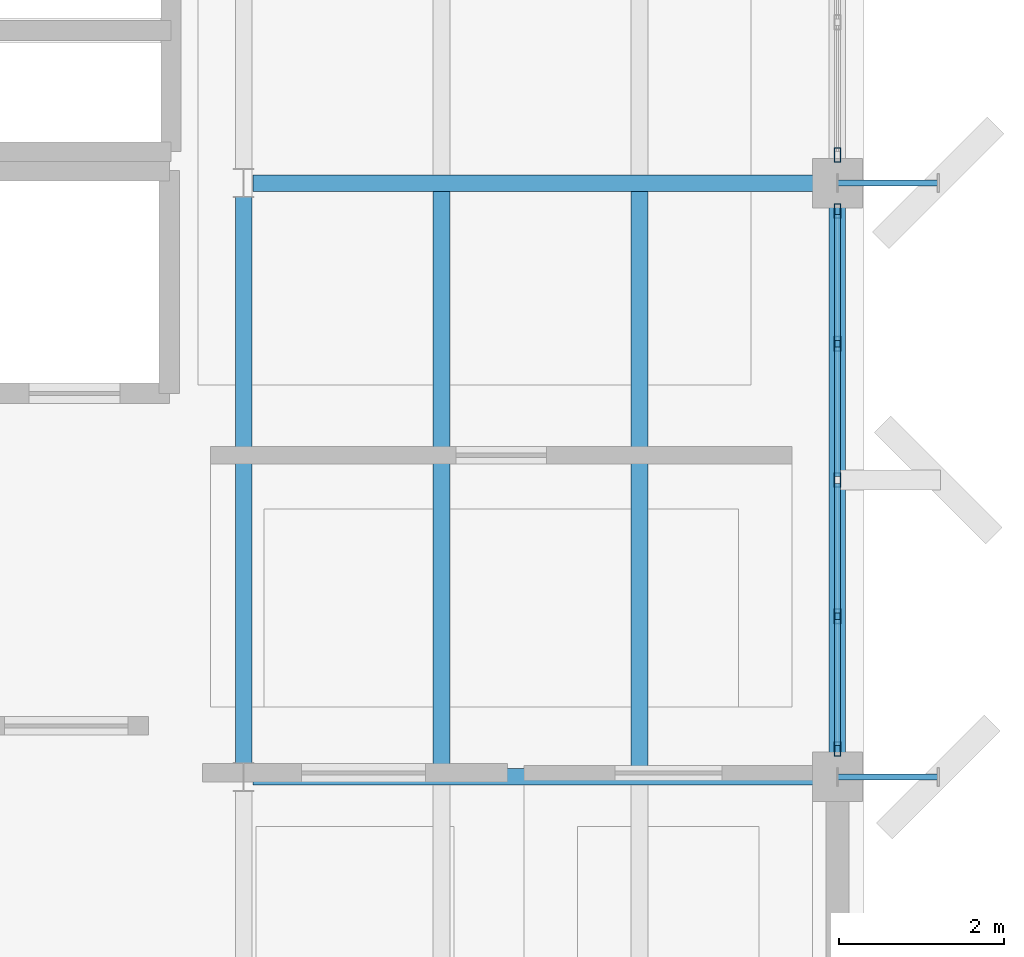
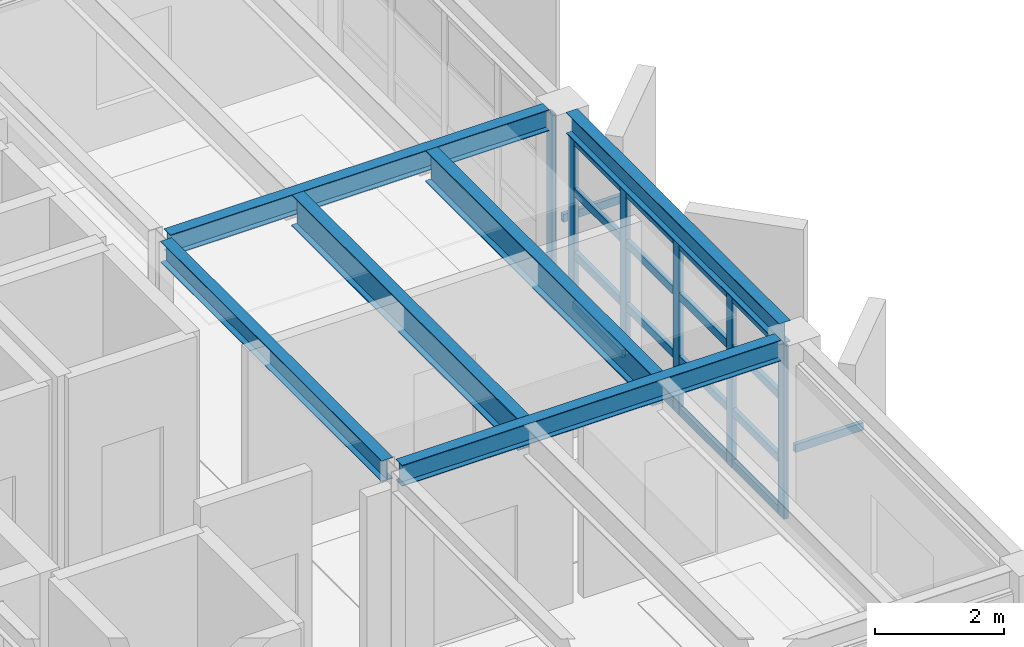
# One storey, part 6 of 15: 24 members, 6 beams, 2 elements without a shape of their own.
"""IFC4 building model written with IfcOpenShell, lengths in metres."""

from ifc_helpers import new_model, si_unit, direction, frame, origin, origin_2d, place, context, subcontext, project, spatial, hollow_rectangle, i_section, extrude, material, layer, layer_set, material_profile, profile_set, type_object, element, aggregate, save


model = new_model("IFC4")

# Units and contexts
model_context = context("Model", 3, precision=1e-05, world=origin(), true_north=direction((0.0, 1.0)))
body_context = subcontext(model_context, "Body", "Model", "MODEL_VIEW")
ifc_project = project(units=[si_unit("LENGTHUNIT", "METRE"), si_unit("AREAUNIT", "SQUARE_METRE"), si_unit("VOLUMEUNIT", "CUBIC_METRE"), si_unit("PLANEANGLEUNIT", "RADIAN"), si_unit("MASSUNIT", "GRAM", prefix="KILO")], contexts=[model_context])

# Site, building, storey
site_placement = place(None, origin())
site = spatial("IfcSite", under=ifc_project, at=site_placement, CompositionType="ELEMENT")
building_placement = place(site_placement, origin())
building = spatial("IfcBuilding", under=site, at=building_placement, Name="Kandorven Conservatory and Botanical Research Centre", CompositionType="ELEMENT")
storey_placement = place(building_placement, frame((0.0, 0.0, 52.199951171875)))
storey = spatial("IfcBuildingStorey", under=building, at=storey_placement, Name="L13", CompositionType="ELEMENT", Elevation=52.199951171875)

# Beams
ifc_material_1 = material(Name="Steel S355 (IS 2062 E350)", Category="steel")
ifc_material_profile_1 = material_profile(ifc_material_1, i_section(OverallWidth=0.199951171875, OverallDepth=0.39990234375, WebThickness=0.008544921875, FlangeThickness=0.012939453125, at=origin_2d()))
ifc_profile_set_1 = profile_set([ifc_material_profile_1], Name="Steel S355 (IS 2062 E350)")
beam_type_1 = type_object("IfcBeamType", Name="Beam_FG-03", PredefinedType="USERDEFINED", material=ifc_profile_set_1)
for number, where, z_axis, x_axis, name in (
    (1, (27.715087890625, 13.199951171875, 3.505126953125), (1.0, 0.0, 0.0), (0.0, 1.0, 0.0), "Primary girder FG-03 TWR L13"),
    (2, (27.715087890625, 20.39990234375, 3.505126953125), (1.0, 0.0, 0.0), (0.0, 1.0, 0.0), "Primary girder FG-03 TWR L13"),
):
    element("IfcBeam", number, at=place(storey_placement, frame(where, z_axis=z_axis, x_axis=x_axis)), inside=storey, type_object=beam_type_1, Name=name, ObjectType="GIRDER", PredefinedType="USERDEFINED", context=body_context, shape_type="SweptSolid", body=[
        extrude(i_section(OverallWidth=0.199951171875, OverallDepth=0.39990234375, WebThickness=0.008544921875, FlangeThickness=0.012939453125, at=origin_2d()), origin(), (0.0, 0.0, 1.0), 6.794921875),
    ])
beam_1_placement = place(storey_placement, frame((27.60009765625, 13.364990234375, 3.505126953125), z_axis=(0.0, 1.0, 0.0), x_axis=(-1.0, 0.0, 0.0)))
element("IfcBeam", 3, at=beam_1_placement, inside=storey, type_object=beam_type_1, Name="Primary girder FG-03 TWR L13", ObjectType="GIRDER", PredefinedType="USERDEFINED", context=body_context, shape_type="SweptSolid", body=[
    extrude(i_section(OverallWidth=0.199951171875, OverallDepth=0.39990234375, WebThickness=0.008544921875, FlangeThickness=0.012939453125, at=origin_2d()), origin(), (0.0, 0.0, 1.0), 6.8701171875),
])
beam_2_placement = place(storey_placement, frame((34.800048828125, 13.489990234375, 3.505126953125), z_axis=(0.0, 1.0, 0.0), x_axis=(-1.0, 0.0, 0.0)))
element("IfcBeam", 4, at=beam_2_placement, inside=storey, type_object=beam_type_1, Name="Primary girder FG-03 TWR L13", ObjectType="GIRDER", PredefinedType="USERDEFINED", context=body_context, shape_type="SweptSolid", body=[
    extrude(i_section(OverallWidth=0.199951171875, OverallDepth=0.39990234375, WebThickness=0.008544921875, FlangeThickness=0.012939453125, at=origin_2d()), origin(), (0.0, 0.0, 1.0), 6.6201171875),
])
ifc_material_2 = material(Name="Steel S355 (IS 2062 E350)", Category="steel")
ifc_material_profile_2 = material_profile(ifc_material_2, i_section(OverallWidth=0.2099609375, OverallDepth=0.60009765625, WebThickness=0.011962890625, FlangeThickness=0.020751953125, at=origin_2d()))
ifc_profile_set_2 = profile_set([ifc_material_profile_2], Name="Steel S355 (IS 2062 E350)")
beam_type_2 = type_object("IfcBeamType", Name="Beam_SB-01", PredefinedType="BEAM", material=ifc_profile_set_2)
for number, where, z_axis, x_axis, name in (
    (5, (30.0, 13.284912109375, 3.405029296875), (0.0, 1.0, 0.0), (-1.0, 0.0, 0.0), "Composite secondary beam SB-01 TWR L13"),
    (6, (32.39990234375, 13.284912109375, 3.405029296875), (0.0, 1.0, 0.0), (-1.0, 0.0, 0.0), "Composite secondary beam SB-01 TWR L13"),
):
    element("IfcBeam", number, at=place(storey_placement, frame(where, z_axis=z_axis, x_axis=x_axis)), inside=storey, type_object=beam_type_2, Name=name, PredefinedType="BEAM", context=body_context, shape_type="SweptSolid", body=[
        extrude(i_section(OverallWidth=0.2099609375, OverallDepth=0.60009765625, WebThickness=0.011962890625, FlangeThickness=0.020751953125, at=origin_2d()), origin(), (0.0, 0.0, 1.0), 7.030029296875),
    ])

# Curtain wall, members
ifc_material_3 = material(Name="Bronze anodised thermally broken aluminium", Category="aluminium")
ifc_layer = layer(ifc_material_3, 0.179931640625)
ifc_layer_set = layer_set([ifc_layer], Name="Bronze anodised thermally broken aluminium")
curtain_wall_type = type_object("IfcCurtainWallType", Name="CW_Unitised", PredefinedType="USERDEFINED", material=ifc_layer_set)
curtain_wall_1_placement = place(storey_placement, origin())
curtain_wall_1 = element("IfcCurtainWall", 7, at=curtain_wall_1_placement, inside=storey, type_object=curtain_wall_type, Name="Tower laboratory curtain wall CW-TWR-E-L13-2", ObjectType="UNITISED GLAZING", PredefinedType="USERDEFINED")
ifc_material_4 = material(Name="Bronze anodised thermally broken aluminium", Category="aluminium")
ifc_material_profile_3 = material_profile(ifc_material_4, hollow_rectangle(XDim=0.080078125, YDim=0.179931640625, WallThickness=0.006103515625, at=origin_2d()))
ifc_profile_set_3 = profile_set([ifc_material_profile_3], Name="Bronze anodised thermally broken aluminium")
member_type_1 = type_object("IfcMemberType", Name="CW_Mullion", PredefinedType="MULLION", material=ifc_profile_set_3)
member_1_placement = place(storey_placement, frame((34.800048828125, 13.5400390625, 0.0), z_axis=(0.0, 0.0, 1.0), x_axis=(-1.0, 0.0, 0.0)))
member_1 = element("IfcMember", 8, at=member_1_placement, type_object=member_type_1, Name="CW-01 mullion 1", PredefinedType="MULLION", context=body_context, shape_type="SweptSolid", body=[
    extrude(hollow_rectangle(XDim=0.080078125, YDim=0.179931640625, WallThickness=0.006103515625, at=origin_2d()), origin(), (0.0, 0.0, 1.0), 3.28515625),
])
member_2_placement = place(storey_placement, frame((34.800048828125, 15.14990234375, 0.0), z_axis=(0.0, 0.0, 1.0), x_axis=(-1.0, 0.0, 0.0)))
member_2 = element("IfcMember", 9, at=member_2_placement, type_object=member_type_1, Name="CW-01 mullion 2", PredefinedType="MULLION", context=body_context, shape_type="SweptSolid", body=[
    extrude(hollow_rectangle(XDim=0.080078125, YDim=0.179931640625, WallThickness=0.006103515625, at=origin_2d()), origin(), (0.0, 0.0, 1.0), 3.28515625),
])
member_3_placement = place(storey_placement, frame((34.800048828125, 16.800048828125, 0.0), z_axis=(0.0, 0.0, 1.0), x_axis=(-1.0, 0.0, 0.0)))
member_3 = element("IfcMember", 10, at=member_3_placement, type_object=member_type_1, Name="CW-01 mullion 3", PredefinedType="MULLION", context=body_context, shape_type="SweptSolid", body=[
    extrude(hollow_rectangle(XDim=0.080078125, YDim=0.179931640625, WallThickness=0.006103515625, at=origin_2d()), origin(), (0.0, 0.0, 1.0), 3.28515625),
])
member_4_placement = place(storey_placement, frame((34.800048828125, 18.449951171875, 0.0), z_axis=(0.0, 0.0, 1.0), x_axis=(-1.0, 0.0, 0.0)))
member_4 = element("IfcMember", 11, at=member_4_placement, type_object=member_type_1, Name="CW-01 mullion 4", PredefinedType="MULLION", context=body_context, shape_type="SweptSolid", body=[
    extrude(hollow_rectangle(XDim=0.080078125, YDim=0.179931640625, WallThickness=0.006103515625, at=origin_2d()), origin(), (0.0, 0.0, 1.0), 3.28515625),
])
member_5_placement = place(storey_placement, frame((34.800048828125, 20.06005859375, 0.0), z_axis=(0.0, 0.0, 1.0), x_axis=(-1.0, 0.0, 0.0)))
member_5 = element("IfcMember", 12, at=member_5_placement, type_object=member_type_1, Name="CW-01 mullion 5", PredefinedType="MULLION", context=body_context, shape_type="SweptSolid", body=[
    extrude(hollow_rectangle(XDim=0.080078125, YDim=0.179931640625, WallThickness=0.006103515625, at=origin_2d()), origin(), (0.0, 0.0, 1.0), 3.28515625),
])

# Curtain wall, member
curtain_wall_2_placement = place(storey_placement, origin())
curtain_wall_2 = element("IfcCurtainWall", 13, at=curtain_wall_2_placement, inside=storey, type_object=curtain_wall_type, Name="Tower laboratory curtain wall CW-TWR-E-L13-3", ObjectType="UNITISED GLAZING", PredefinedType="USERDEFINED")
member_6_placement = place(storey_placement, frame((34.800048828125, 20.739990234375, 0.0), z_axis=(0.0, 0.0, 1.0), x_axis=(-1.0, 0.0, 0.0)))
member_6 = element("IfcMember", 14, at=member_6_placement, type_object=member_type_1, Name="CW-01 mullion 1", PredefinedType="MULLION", context=body_context, shape_type="SweptSolid", body=[
    extrude(hollow_rectangle(XDim=0.080078125, YDim=0.179931640625, WallThickness=0.006103515625, at=origin_2d()), origin(), (0.0, 0.0, 1.0), 3.28515625),
])
aggregate(curtain_wall_2, [member_6])

# Member
ifc_material_5 = material(Name="Bronze anodised thermally broken aluminium", Category="aluminium")
ifc_material_profile_4 = material_profile(ifc_material_5, hollow_rectangle(XDim=0.074951171875, YDim=0.14990234375, WallThickness=0.006103515625, at=origin_2d()))
ifc_profile_set_4 = profile_set([ifc_material_profile_4], Name="Bronze anodised thermally broken aluminium")
member_type_2 = type_object("IfcMemberType", Name="CW_Transom", PredefinedType="USERDEFINED", material=ifc_profile_set_4)
member_7_placement = place(storey_placement, frame((34.800048828125, 13.580078125, 0.074951171875), z_axis=(0.0, 1.0, 0.0), x_axis=(-1.0, 0.0, 0.0)))
member_7 = element("IfcMember", 15, at=member_7_placement, type_object=member_type_2, Name="CW-01 transom 1.1", ObjectType="TRANSOM", PredefinedType="USERDEFINED", context=body_context, shape_type="SweptSolid", body=[
    extrude(hollow_rectangle(XDim=0.074951171875, YDim=0.14990234375, WallThickness=0.006103515625, at=origin_2d()), origin(), (0.0, 0.0, 1.0), 1.530029296875),
])

member_8_placement = place(storey_placement, frame((34.800048828125, 13.580078125, 1.050048828125), z_axis=(0.0, 1.0, 0.0), x_axis=(-1.0, 0.0, 0.0)))
member_8 = element("IfcMember", 16, at=member_8_placement, type_object=member_type_2, Name="CW-01 transom 1.2", ObjectType="TRANSOM", PredefinedType="USERDEFINED", context=body_context, shape_type="SweptSolid", body=[
    extrude(hollow_rectangle(XDim=0.074951171875, YDim=0.14990234375, WallThickness=0.006103515625, at=origin_2d()), origin(), (0.0, 0.0, 1.0), 1.530029296875),
])

member_9_placement = place(storey_placement, frame((34.800048828125, 13.580078125, 2.25), z_axis=(0.0, 1.0, 0.0), x_axis=(-1.0, 0.0, 0.0)))
member_9 = element("IfcMember", 17, at=member_9_placement, type_object=member_type_2, Name="CW-01 transom 1.3", ObjectType="TRANSOM", PredefinedType="USERDEFINED", context=body_context, shape_type="SweptSolid", body=[
    extrude(hollow_rectangle(XDim=0.074951171875, YDim=0.14990234375, WallThickness=0.006103515625, at=origin_2d()), origin(), (0.0, 0.0, 1.0), 1.530029296875),
])

member_10_placement = place(storey_placement, frame((34.800048828125, 13.580078125, 3.2099609375), z_axis=(0.0, 1.0, 0.0), x_axis=(-1.0, 0.0, 0.0)))
member_10 = element("IfcMember", 18, at=member_10_placement, type_object=member_type_2, Name="CW-01 transom 1.4", ObjectType="TRANSOM", PredefinedType="USERDEFINED", context=body_context, shape_type="SweptSolid", body=[
    extrude(hollow_rectangle(XDim=0.074951171875, YDim=0.14990234375, WallThickness=0.006103515625, at=origin_2d()), origin(), (0.0, 0.0, 1.0), 1.530029296875),
])

member_11_placement = place(storey_placement, frame((34.800048828125, 15.18994140625, 0.074951171875), z_axis=(0.0, 1.0, 0.0), x_axis=(-1.0, 0.0, 0.0)))
member_11 = element("IfcMember", 19, at=member_11_placement, type_object=member_type_2, Name="CW-01 transom 2.1", ObjectType="TRANSOM", PredefinedType="USERDEFINED", context=body_context, shape_type="SweptSolid", body=[
    extrude(hollow_rectangle(XDim=0.074951171875, YDim=0.14990234375, WallThickness=0.006103515625, at=origin_2d()), origin(), (0.0, 0.0, 1.0), 1.570068359375),
])

member_12_placement = place(storey_placement, frame((34.800048828125, 15.18994140625, 1.050048828125), z_axis=(0.0, 1.0, 0.0), x_axis=(-1.0, 0.0, 0.0)))
member_12 = element("IfcMember", 20, at=member_12_placement, type_object=member_type_2, Name="CW-01 transom 2.2", ObjectType="TRANSOM", PredefinedType="USERDEFINED", context=body_context, shape_type="SweptSolid", body=[
    extrude(hollow_rectangle(XDim=0.074951171875, YDim=0.14990234375, WallThickness=0.006103515625, at=origin_2d()), origin(), (0.0, 0.0, 1.0), 1.570068359375),
])

member_13_placement = place(storey_placement, frame((34.800048828125, 15.18994140625, 2.25), z_axis=(0.0, 1.0, 0.0), x_axis=(-1.0, 0.0, 0.0)))
member_13 = element("IfcMember", 21, at=member_13_placement, type_object=member_type_2, Name="CW-01 transom 2.3", ObjectType="TRANSOM", PredefinedType="USERDEFINED", context=body_context, shape_type="SweptSolid", body=[
    extrude(hollow_rectangle(XDim=0.074951171875, YDim=0.14990234375, WallThickness=0.006103515625, at=origin_2d()), origin(), (0.0, 0.0, 1.0), 1.570068359375),
])

member_14_placement = place(storey_placement, frame((34.800048828125, 15.18994140625, 3.2099609375), z_axis=(0.0, 1.0, 0.0), x_axis=(-1.0, 0.0, 0.0)))
member_14 = element("IfcMember", 22, at=member_14_placement, type_object=member_type_2, Name="CW-01 transom 2.4", ObjectType="TRANSOM", PredefinedType="USERDEFINED", context=body_context, shape_type="SweptSolid", body=[
    extrude(hollow_rectangle(XDim=0.074951171875, YDim=0.14990234375, WallThickness=0.006103515625, at=origin_2d()), origin(), (0.0, 0.0, 1.0), 1.570068359375),
])

member_15_placement = place(storey_placement, frame((34.800048828125, 16.840087890625, 0.074951171875), z_axis=(0.0, 1.0, 0.0), x_axis=(-1.0, 0.0, 0.0)))
member_15 = element("IfcMember", 23, at=member_15_placement, type_object=member_type_2, Name="CW-01 transom 3.1", ObjectType="TRANSOM", PredefinedType="USERDEFINED", context=body_context, shape_type="SweptSolid", body=[
    extrude(hollow_rectangle(XDim=0.074951171875, YDim=0.14990234375, WallThickness=0.006103515625, at=origin_2d()), origin(), (0.0, 0.0, 1.0), 1.56982421875),
])

member_16_placement = place(storey_placement, frame((34.800048828125, 16.840087890625, 1.050048828125), z_axis=(0.0, 1.0, 0.0), x_axis=(-1.0, 0.0, 0.0)))
member_16 = element("IfcMember", 24, at=member_16_placement, type_object=member_type_2, Name="CW-01 transom 3.2", ObjectType="TRANSOM", PredefinedType="USERDEFINED", context=body_context, shape_type="SweptSolid", body=[
    extrude(hollow_rectangle(XDim=0.074951171875, YDim=0.14990234375, WallThickness=0.006103515625, at=origin_2d()), origin(), (0.0, 0.0, 1.0), 1.56982421875),
])

member_17_placement = place(storey_placement, frame((34.800048828125, 16.840087890625, 2.25), z_axis=(0.0, 1.0, 0.0), x_axis=(-1.0, 0.0, 0.0)))
member_17 = element("IfcMember", 25, at=member_17_placement, type_object=member_type_2, Name="CW-01 transom 3.3", ObjectType="TRANSOM", PredefinedType="USERDEFINED", context=body_context, shape_type="SweptSolid", body=[
    extrude(hollow_rectangle(XDim=0.074951171875, YDim=0.14990234375, WallThickness=0.006103515625, at=origin_2d()), origin(), (0.0, 0.0, 1.0), 1.56982421875),
])

member_18_placement = place(storey_placement, frame((34.800048828125, 16.840087890625, 3.2099609375), z_axis=(0.0, 1.0, 0.0), x_axis=(-1.0, 0.0, 0.0)))
member_18 = element("IfcMember", 26, at=member_18_placement, type_object=member_type_2, Name="CW-01 transom 3.4", ObjectType="TRANSOM", PredefinedType="USERDEFINED", context=body_context, shape_type="SweptSolid", body=[
    extrude(hollow_rectangle(XDim=0.074951171875, YDim=0.14990234375, WallThickness=0.006103515625, at=origin_2d()), origin(), (0.0, 0.0, 1.0), 1.56982421875),
])

member_19_placement = place(storey_placement, frame((34.800048828125, 18.489990234375, 0.074951171875), z_axis=(0.0, 1.0, 0.0), x_axis=(-1.0, 0.0, 0.0)))
member_19 = element("IfcMember", 27, at=member_19_placement, type_object=member_type_2, Name="CW-01 transom 4.1", ObjectType="TRANSOM", PredefinedType="USERDEFINED", context=body_context, shape_type="SweptSolid", body=[
    extrude(hollow_rectangle(XDim=0.074951171875, YDim=0.14990234375, WallThickness=0.006103515625, at=origin_2d()), origin(), (0.0, 0.0, 1.0), 1.530029296875),
])

member_20_placement = place(storey_placement, frame((34.800048828125, 18.489990234375, 1.050048828125), z_axis=(0.0, 1.0, 0.0), x_axis=(-1.0, 0.0, 0.0)))
member_20 = element("IfcMember", 28, at=member_20_placement, type_object=member_type_2, Name="CW-01 transom 4.2", ObjectType="TRANSOM", PredefinedType="USERDEFINED", context=body_context, shape_type="SweptSolid", body=[
    extrude(hollow_rectangle(XDim=0.074951171875, YDim=0.14990234375, WallThickness=0.006103515625, at=origin_2d()), origin(), (0.0, 0.0, 1.0), 1.530029296875),
])

member_21_placement = place(storey_placement, frame((34.800048828125, 18.489990234375, 2.25), z_axis=(0.0, 1.0, 0.0), x_axis=(-1.0, 0.0, 0.0)))
member_21 = element("IfcMember", 29, at=member_21_placement, type_object=member_type_2, Name="CW-01 transom 4.3", ObjectType="TRANSOM", PredefinedType="USERDEFINED", context=body_context, shape_type="SweptSolid", body=[
    extrude(hollow_rectangle(XDim=0.074951171875, YDim=0.14990234375, WallThickness=0.006103515625, at=origin_2d()), origin(), (0.0, 0.0, 1.0), 1.530029296875),
])

member_22_placement = place(storey_placement, frame((34.800048828125, 18.489990234375, 3.2099609375), z_axis=(0.0, 1.0, 0.0), x_axis=(-1.0, 0.0, 0.0)))
member_22 = element("IfcMember", 30, at=member_22_placement, type_object=member_type_2, Name="CW-01 transom 4.4", ObjectType="TRANSOM", PredefinedType="USERDEFINED", context=body_context, shape_type="SweptSolid", body=[
    extrude(hollow_rectangle(XDim=0.074951171875, YDim=0.14990234375, WallThickness=0.006103515625, at=origin_2d()), origin(), (0.0, 0.0, 1.0), 1.530029296875),
])

aggregate(curtain_wall_1, [member_1, member_2, member_3, member_4, member_5, member_7, member_8, member_9, member_10, member_11, member_12, member_13, member_14, member_15, member_16, member_17, member_18, member_19, member_20, member_21, member_22])

# Members
ifc_material_6 = material(Name="Steel S355 (IS 2062 E350)", Category="steel")
ifc_material_profile_5 = material_profile(ifc_material_6, hollow_rectangle(XDim=0.074951171875, YDim=0.14990234375, WallThickness=0.006103515625, at=origin_2d()))
ifc_profile_set_5 = profile_set([ifc_material_profile_5], Name="Steel S355 (IS 2062 E350)")
member_type_3 = type_object("IfcMemberType", Name="Mem_SF-01", PredefinedType="STRUT", material=ifc_profile_set_5)
for number, where, z_axis, x_axis, name in (
    (31, (34.800048828125, 13.199951171875, 1.5), (1.0, 0.0, 0.0), (0.0, 1.0, 0.0), "Solar fin steel outrigger strut SF-01 #117"),
    (32, (34.800048828125, 20.39990234375, 1.5), (1.0, 0.0, 0.0), (0.0, 1.0, 0.0), "Solar fin steel outrigger strut SF-01 #119"),
):
    element("IfcMember", number, at=place(storey_placement, frame(where, z_axis=z_axis, x_axis=x_axis)), inside=storey, type_object=member_type_3, Name=name, PredefinedType="STRUT", context=body_context, shape_type="SweptSolid", body=[
        extrude(hollow_rectangle(XDim=0.074951171875, YDim=0.14990234375, WallThickness=0.006103515625, at=origin_2d()), origin(), (0.0, 0.0, 1.0), 1.219970703125),
    ])

save(model, "model.ifc")
